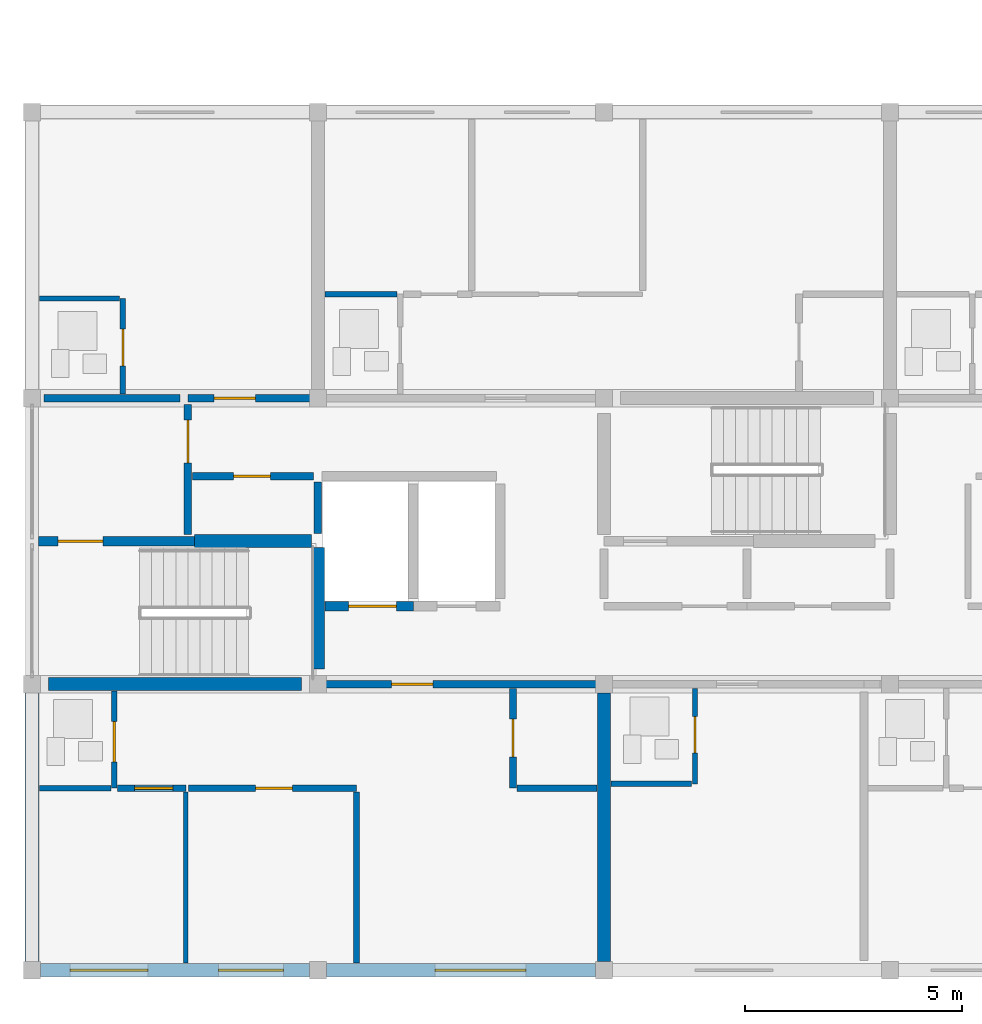
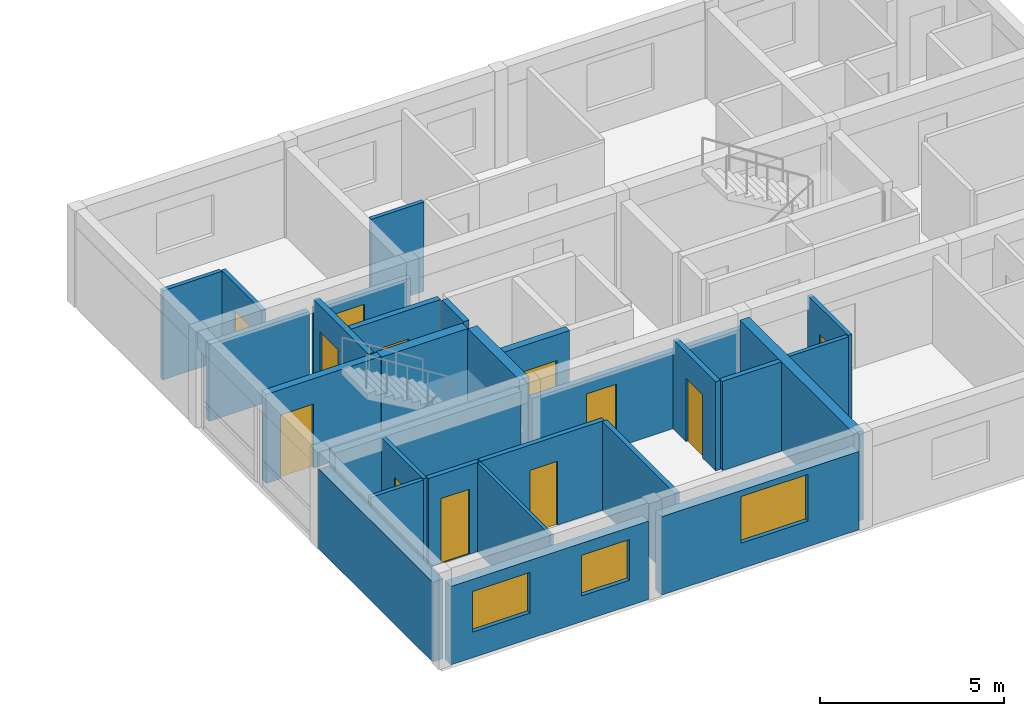
# One storey, part 24 of 45: 28 walls, 12 doors, 3 windows, 15 openings.
"""IFC4 building model written with IfcOpenShell, lengths in metres."""

from ifc_helpers import new_model, si_unit, direction, frame, frame_2d, origin, place, context, subcontext, project, spatial, rectangle, extrude, material, layer, layer_set, type_object, element, fill, save


model = new_model("IFC4")

# Units and contexts
model_context = context("Model", 3, precision=1e-05, world=origin(), true_north=direction((0.0, 1.0)))
body_context = subcontext(model_context, "Body", "Model", "MODEL_VIEW")
ifc_project = project(units=[si_unit("LENGTHUNIT", "METRE"), si_unit("AREAUNIT", "SQUARE_METRE"), si_unit("VOLUMEUNIT", "CUBIC_METRE"), si_unit("PLANEANGLEUNIT", "RADIAN"), si_unit("MASSUNIT", "GRAM", prefix="KILO")], contexts=[model_context])

# Site, building, storey
site_placement = place(None, origin())
site = spatial("IfcSite", under=ifc_project, at=site_placement, CompositionType="ELEMENT")
building_placement = place(site_placement, origin())
building = spatial("IfcBuilding", under=site, at=building_placement, Name="Kernevlak Ridge Housing Community", CompositionType="ELEMENT")
storey_placement = place(building_placement, frame((0.0, 0.0, 21.199951171875)))
storey = spatial("IfcBuildingStorey", under=building, at=storey_placement, Name="L06", CompositionType="ELEMENT", Elevation=21.199951171875)

# Wall, openings, windows
ifc_material_1 = material(Name="Concrete block masonry M10", Category="masonry")
ifc_layer_1 = layer(ifc_material_1, 0.320068359375, Name="Concrete block masonry M10")
ifc_layer_set_1 = layer_set([ifc_layer_1], Name="Concrete block masonry M10")
wall_type_1 = type_object("IfcWallType", Name="EW-02", PredefinedType="STANDARD", material=ifc_layer_set_1)
wall_1_placement = place(storey_placement, frame((15.800048828125, 15.60009765625, 0.0), z_axis=(0.0, 0.0, 1.0), x_axis=(1.0, 0.0, 0.0)))
wall_1 = element("IfcWall", 1, at=wall_1_placement, inside=storey, type_object=wall_type_1, Name="Exterior wall EW-02 L06 795", PredefinedType="STANDARD", context=body_context, shape_type="SweptSolid", body=[
    extrude(rectangle(XDim=6.199951171875, YDim=0.320068359375, at=frame_2d((3.10009765625, 0.0))), origin(), (0.0, 0.0, 1.0), 2.60009765625),
])
opening_1_placement = place(wall_1_placement, frame((0.675048828125, 0.0, 0.85009765625)))
opening_1 = element("IfcOpeningElement", 2, at=opening_1_placement, cuts=wall_1, Name="Opening WT-03", PredefinedType="OPENING", context=body_context, shape_type="SweptSolid", body=[
    extrude(rectangle(XDim=1.800048828125, YDim=1.35009765625, at=frame_2d((0.89990234375, 0.675048828125))), frame((0.0, 0.169921875, 0.0), z_axis=(0.0, -1.0, 0.0), x_axis=(1.0, 0.0, 0.0)), (0.0, 0.0, 1.0), 0.340087890625),
])
opening_2_placement = place(wall_1_placement, frame((4.10009765625, 0.0, 0.85009765625)))
opening_2 = element("IfcOpeningElement", 3, at=opening_2_placement, cuts=wall_1, Name="Opening WT-02", PredefinedType="OPENING", context=body_context, shape_type="SweptSolid", body=[
    extrude(rectangle(XDim=1.5, YDim=1.35009765625, at=frame_2d((0.75, 0.675048828125))), frame((0.0, 0.169921875, 0.0), z_axis=(0.0, -1.0, 0.0), x_axis=(1.0, 0.0, 0.0)), (0.0, 0.0, 1.0), 0.340087890625),
])
ifc_material_2 = material(Name="Aluminium EN AW-6060 anodised and laminated glass", Category="aluminium")
window_type_1 = type_object("IfcWindowType", Name="WT-02", PartitioningType="SINGLE_PANEL", PredefinedType="WINDOW", material=ifc_material_2)
window_1_placement = place(opening_2_placement, origin())
window_1 = element("IfcWindow", 4, at=window_1_placement, inside=storey, type_object=window_type_1, Name="Window WT-02 L06 662", OverallHeight=1.35009765625, OverallWidth=1.5, PartitioningType="SINGLE_PANEL", PredefinedType="WINDOW", context=body_context, shape_type="SweptSolid", body=[
    extrude(rectangle(XDim=1.5, YDim=1.35009765625, at=frame_2d((0.75, 0.675048828125))), frame((0.0, 0.030029296875, 0.0), z_axis=(0.0, -1.0, 0.0), x_axis=(1.0, 0.0, 0.0)), (0.0, 0.0, 1.0), 0.06005859375),
])
fill(opening_2, window_1)
window_type_2 = type_object("IfcWindowType", Name="WT-03", PartitioningType="SINGLE_PANEL", PredefinedType="WINDOW", material=ifc_material_2)
window_2_placement = place(opening_1_placement, origin())
window_2 = element("IfcWindow", 5, at=window_2_placement, inside=storey, type_object=window_type_2, Name="Window WT-03 L06 661", OverallHeight=1.35009765625, OverallWidth=1.800048828125, PartitioningType="SINGLE_PANEL", PredefinedType="WINDOW", context=body_context, shape_type="SweptSolid", body=[
    extrude(rectangle(XDim=1.800048828125, YDim=1.35009765625, at=frame_2d((0.89990234375, 0.675048828125))), frame((0.0, 0.030029296875, 0.0), z_axis=(0.0, -1.0, 0.0), x_axis=(1.0, 0.0, 0.0)), (0.0, 0.0, 1.0), 0.06005859375),
])
fill(opening_1, window_2)

# Wall, opening, window
wall_2_placement = place(storey_placement, frame((22.39990234375, 15.60009765625, 0.0), z_axis=(0.0, 0.0, 1.0), x_axis=(1.0, 0.0, 0.0)))
wall_2 = element("IfcWall", 6, at=wall_2_placement, inside=storey, type_object=wall_type_1, Name="Exterior wall EW-02 L06 796", PredefinedType="STANDARD", context=body_context, shape_type="SweptSolid", body=[
    extrude(rectangle(XDim=6.2001953125, YDim=0.320068359375, at=frame_2d((3.10009765625, 0.0))), origin(), (0.0, 0.0, 1.0), 2.60009765625),
])
opening_3_placement = place(wall_2_placement, frame((2.49609375, 0.0, 0.85009765625)))
opening_3 = element("IfcOpeningElement", 7, at=opening_3_placement, cuts=wall_2, Name="Opening WT-05", PredefinedType="OPENING", context=body_context, shape_type="SweptSolid", body=[
    extrude(rectangle(XDim=2.10009765625, YDim=1.550048828125, at=frame_2d((1.050048828125, 0.77490234375))), frame((0.0, 0.169921875, 0.0), z_axis=(0.0, -1.0, 0.0), x_axis=(1.0, 0.0, 0.0)), (0.0, 0.0, 1.0), 0.340087890625),
])
window_type_3 = type_object("IfcWindowType", Name="WT-05", PartitioningType="SINGLE_PANEL", PredefinedType="WINDOW", material=ifc_material_2)
window_3_placement = place(opening_3_placement, origin())
window_3 = element("IfcWindow", 8, at=window_3_placement, inside=storey, type_object=window_type_3, Name="Window WT-05 L06 663", OverallHeight=1.550048828125, OverallWidth=2.10009765625, PartitioningType="SINGLE_PANEL", PredefinedType="WINDOW", context=body_context, shape_type="SweptSolid", body=[
    extrude(rectangle(XDim=2.10009765625, YDim=1.550048828125, at=frame_2d((1.050048828125, 0.77490234375))), frame((0.0, 0.030029296875, 0.0), z_axis=(0.0, -1.0, 0.0), x_axis=(1.0, 0.0, 0.0)), (0.0, 0.0, 1.0), 0.06005859375),
])
fill(opening_3, window_3)

# Wall
wall_3_placement = place(storey_placement, frame((15.60009765625, 15.800048828125, 0.0), z_axis=(0.0, 0.0, 1.0), x_axis=(0.0, 1.0, 0.0)))
element("IfcWall", 9, at=wall_3_placement, inside=storey, type_object=wall_type_1, Name="Exterior wall EW-02 L06 805", PredefinedType="STANDARD", context=body_context, shape_type="SweptSolid", body=[
    extrude(rectangle(XDim=6.199951171875, YDim=0.320068359375, at=frame_2d((3.10009765625, 0.0))), origin(), (0.0, 0.0, 1.0), 2.650146484375),
])

# Wall, opening, door
ifc_material_3 = material(Name="Concrete C35/45", Category="concrete")
ifc_layer_2 = layer(ifc_material_3, 0.22509765625, Name="Concrete C35/45")
ifc_layer_set_2 = layer_set([ifc_layer_2], Name="Concrete C35/45")
wall_type_2 = type_object("IfcWallType", Name="PW-01", PredefinedType="STANDARD", material=ifc_layer_set_2)
wall_4_placement = place(storey_placement, frame((15.75, 25.5, 0.0), z_axis=(0.0, 0.0, 1.0), x_axis=(1.0, 0.0, 0.0)))
wall_4 = element("IfcWall", 10, at=wall_4_placement, inside=storey, type_object=wall_type_2, Name="Interior wall PW-01 WAL-INT-L06-3301", PredefinedType="STANDARD", context=body_context, shape_type="SweptSolid", body=[
    extrude(rectangle(XDim=3.60009765625, YDim=0.22509765625, at=frame_2d((1.800048828125, 0.0))), origin(), (0.0, 0.0, 1.0), 2.9599609375),
])
opening_4_placement = place(wall_4_placement, frame((0.449951171875, 0.0, 0.0)))
opening_4 = element("IfcOpeningElement", 11, at=opening_4_placement, cuts=wall_4, Name="Opening E675", PredefinedType="OPENING", context=body_context, shape_type="SweptSolid", body=[
    extrude(rectangle(XDim=1.0400390625, YDim=2.1201171875, at=frame_2d((0.52001953125, 1.06005859375))), frame((0.0, 0.12255859375, 0.0), z_axis=(0.0, -1.0, 0.0), x_axis=(1.0, 0.0, 0.0)), (0.0, 0.0, 1.0), 0.2451171875),
])
ifc_material_4 = material(Name="Fire-rated sheet steel leaf", Category="steel")
door_type_1 = type_object("IfcDoorType", Name="DT-16", OperationType="NOTDEFINED", PredefinedType="DOOR", material=ifc_material_4)
door_1_placement = place(opening_4_placement, origin())
door_1 = element("IfcDoor", 12, at=door_1_placement, inside=storey, type_object=door_type_1, Name="Block D Stair 1 fire door E675", OperationType="SINGLE_SWING_RIGHT", OverallHeight=2.1201171875, OverallWidth=1.0400390625, PredefinedType="DOOR", context=body_context, shape_type="SweptSolid", body=[
    extrude(rectangle(XDim=1.0400390625, YDim=2.1201171875, at=frame_2d((0.52001953125, 1.06005859375))), frame((0.0, 0.02490234375, 0.0), z_axis=(0.0, -1.0, 0.0), x_axis=(1.0, 0.0, 0.0)), (0.0, 0.0, 1.0), 0.050048828125),
])
fill(opening_4, door_1)

wall_5_placement = place(storey_placement, frame((22.360107421875, 24.0, 0.0), z_axis=(0.0, 0.0, 1.0), x_axis=(1.0, 0.0, 0.0)))
wall_5 = element("IfcWall", 13, at=wall_5_placement, inside=storey, type_object=wall_type_2, Name="Interior wall PW-01 WAL-INT-L06-3305", PredefinedType="STANDARD", context=body_context, shape_type="SweptSolid", body=[
    extrude(rectangle(XDim=2.039794921875, YDim=0.22509765625, at=frame_2d((1.02001953125, 0.0))), origin(), (0.0, 0.0, 1.0), 2.9599609375),
])
opening_5_placement = place(wall_5_placement, frame((0.550048828125, 0.0, 0.0)))
opening_5 = element("IfcOpeningElement", 14, at=opening_5_placement, cuts=wall_5, Name="Opening LD90", PredefinedType="OPENING", context=body_context, shape_type="SweptSolid", body=[
    extrude(rectangle(XDim=1.10009765625, YDim=2.10009765625, at=frame_2d((0.550048828125, 1.050048828125))), frame((0.0, 0.12255859375, 0.0), z_axis=(0.0, -1.0, 0.0), x_axis=(1.0, 0.0, 0.0)), (0.0, 0.0, 1.0), 0.2451171875),
])
ifc_material_5 = material(Name="Stainless steel EN 1.4401", Category="steel")
door_type_2 = type_object("IfcDoorType", Name="DT-LD1", OperationType="DOUBLE_DOOR_SLIDING", PredefinedType="DOOR", material=ifc_material_5)
door_2_placement = place(opening_5_placement, origin())
door_2 = element("IfcDoor", 15, at=door_2_placement, inside=storey, type_object=door_type_2, Name="Lift LF-D1 landing door LD90", OperationType="DOUBLE_DOOR_SLIDING", OverallHeight=2.10009765625, OverallWidth=1.10009765625, PredefinedType="DOOR", context=body_context, shape_type="SweptSolid", body=[
    extrude(rectangle(XDim=1.10009765625, YDim=2.10009765625, at=frame_2d((0.550048828125, 1.050048828125))), frame((0.0, 0.02490234375, 0.0), z_axis=(0.0, -1.0, 0.0), x_axis=(1.0, 0.0, 0.0)), (0.0, 0.0, 1.0), 0.050048828125),
])
fill(opening_5, door_2)

ifc_layer_3 = layer(ifc_material_1, 0.175048828125, Name="Concrete block masonry M10")
ifc_layer_set_3 = layer_set([ifc_layer_3], Name="Concrete block masonry M10")
wall_type_3 = type_object("IfcWallType", Name="PW-02", PredefinedType="PARTITIONING", material=ifc_layer_set_3)
wall_6_placement = place(storey_placement, frame((19.199951171875, 25.64990234375, 0.0), z_axis=(0.0, 0.0, 1.0), x_axis=(0.0, 1.0, 0.0)))
wall_6 = element("IfcWall", 16, at=wall_6_placement, inside=storey, type_object=wall_type_3, Name="Interior wall PW-02 WAL-INT-L06-3302", PredefinedType="PARTITIONING", context=body_context, shape_type="SweptSolid", body=[
    extrude(rectangle(XDim=3.0, YDim=0.175048828125, at=frame_2d((1.5, 0.0))), origin(), (0.0, 0.0, 1.0), 2.9599609375),
])
opening_6_placement = place(wall_6_placement, frame((1.64990234375, 0.0, 0.0)))
opening_6 = element("IfcOpeningElement", 17, at=opening_6_placement, cuts=wall_6, Name="Opening E676", PredefinedType="OPENING", context=body_context, shape_type="SweptSolid", body=[
    extrude(rectangle(XDim=1.0, YDim=2.10009765625, at=frame_2d((0.5, 1.050048828125))), frame((0.0, 0.097412109375, 0.0), z_axis=(0.0, -1.0, 0.0), x_axis=(1.0, 0.0, 0.0)), (0.0, 0.0, 1.0), 0.195068359375),
])
door_type_3 = type_object("IfcDoorType", Name="DT-05", OperationType="NOTDEFINED", PredefinedType="DOOR", material=ifc_material_4)
door_3_placement = place(opening_6_placement, origin())
door_3 = element("IfcDoor", 18, at=door_3_placement, inside=storey, type_object=door_type_3, Name="Block D Firefighting lobby 1 door E676", OperationType="SINGLE_SWING_LEFT", OverallHeight=2.10009765625, OverallWidth=1.0, PredefinedType="DOOR", context=body_context, shape_type="SweptSolid", body=[
    extrude(rectangle(XDim=1.0, YDim=2.10009765625, at=frame_2d((0.5, 1.050048828125))), frame((0.0, 0.02490234375, 0.0), z_axis=(0.0, -1.0, 0.0), x_axis=(1.0, 0.0, 0.0)), (0.0, 0.0, 1.0), 0.050048828125),
])
fill(opening_6, door_3)

wall_7_placement = place(storey_placement, frame((19.300048828125, 27.0, 0.0), z_axis=(0.0, 0.0, 1.0), x_axis=(1.0, 0.0, 0.0)))
wall_7 = element("IfcWall", 19, at=wall_7_placement, inside=storey, type_object=wall_type_3, Name="Interior wall PW-02 WAL-INT-L06-3303", PredefinedType="PARTITIONING", context=body_context, shape_type="SweptSolid", body=[
    extrude(rectangle(XDim=2.800048828125, YDim=0.175048828125, at=frame_2d((1.39990234375, 0.0))), origin(), (0.0, 0.0, 1.0), 2.9599609375),
])
opening_7_placement = place(wall_7_placement, frame((0.949951171875, 0.0, 0.0)))
opening_7 = element("IfcOpeningElement", 20, at=opening_7_placement, cuts=wall_7, Name="Opening E677", PredefinedType="OPENING", context=body_context, shape_type="SweptSolid", body=[
    extrude(rectangle(XDim=0.85009765625, YDim=2.0, at=frame_2d((0.425048828125, 1.0))), frame((0.0, 0.097412109375, 0.0), z_axis=(0.0, -1.0, 0.0), x_axis=(1.0, 0.0, 0.0)), (0.0, 0.0, 1.0), 0.195068359375),
])
door_type_4 = type_object("IfcDoorType", Name="DT-07", OperationType="NOTDEFINED", PredefinedType="DOOR", material=ifc_material_4)
door_4_placement = place(opening_7_placement, origin())
door_4 = element("IfcDoor", 21, at=door_4_placement, inside=storey, type_object=door_type_4, Name="Block D Riser shaft door E677", OperationType="SINGLE_SWING_RIGHT", OverallHeight=2.0, OverallWidth=0.85009765625, PredefinedType="DOOR", context=body_context, shape_type="SweptSolid", body=[
    extrude(rectangle(XDim=0.85009765625, YDim=2.0, at=frame_2d((0.425048828125, 1.0))), frame((0.0, 0.02490234375, 0.0), z_axis=(0.0, -1.0, 0.0), x_axis=(1.0, 0.0, 0.0)), (0.0, 0.0, 1.0), 0.050048828125),
])
fill(opening_7, door_4)

# Wall
wall_8_placement = place(storey_placement, frame((22.199951171875, 25.679931640625, 0.0), z_axis=(0.0, 0.0, 1.0), x_axis=(0.0, 1.0, 0.0)))
element("IfcWall", 22, at=wall_8_placement, inside=storey, type_object=wall_type_3, Name="Interior wall PW-02 WAL-INT-L06-3304", PredefinedType="PARTITIONING", context=body_context, shape_type="SweptSolid", body=[
    extrude(rectangle(XDim=1.190185546875, YDim=0.175048828125, at=frame_2d((0.59521484375, 0.0))), origin(), (0.0, 0.0, 1.0), 2.9599609375),
])

# Wall, opening, door
wall_9_placement = place(storey_placement, frame((22.199951171875, 22.199951171875, 0.0), z_axis=(0.0, 0.0, 1.0), x_axis=(1.0, 0.0, 0.0)))
wall_9 = element("IfcWall", 23, at=wall_9_placement, inside=storey, type_object=wall_type_3, Name="Interior wall PW-02 WAL-INT-L06-3320", PredefinedType="PARTITIONING", context=body_context, shape_type="SweptSolid", body=[
    extrude(rectangle(XDim=6.60009765625, YDim=0.175048828125, at=frame_2d((3.300048828125, 0.0))), origin(), (0.0, 0.0, 1.0), 2.550048828125),
])
opening_8_placement = place(wall_9_placement, frame((1.699951171875, 0.0, 0.0)))
opening_8 = element("IfcOpeningElement", 24, at=opening_8_placement, cuts=wall_9, Name="Opening E682", PredefinedType="OPENING", context=body_context, shape_type="SweptSolid", body=[
    extrude(rectangle(XDim=0.949951171875, YDim=2.10009765625, at=frame_2d((0.47509765625, 1.050048828125))), frame((0.0, 0.097412109375, 0.0), z_axis=(0.0, -1.0, 0.0), x_axis=(1.0, 0.0, 0.0)), (0.0, 0.0, 1.0), 0.195068359375),
])
ifc_material_6 = material(Name="Hardwood timber solid-core fire leaf", Category="wood")
door_type_5 = type_object("IfcDoorType", Name="DT-01", OperationType="NOTDEFINED", PredefinedType="DOOR", material=ifc_material_6)
door_5_placement = place(opening_8_placement, origin())
door_5 = element("IfcDoor", 25, at=door_5_placement, inside=storey, type_object=door_type_5, Name="Flat D0611 entrance fire door E682", OperationType="SINGLE_SWING_LEFT", OverallHeight=2.10009765625, OverallWidth=0.949951171875, PredefinedType="DOOR", context=body_context, shape_type="SweptSolid", body=[
    extrude(rectangle(XDim=0.949951171875, YDim=2.10009765625, at=frame_2d((0.47509765625, 1.050048828125))), frame((0.0, 0.02490234375, 0.0), z_axis=(0.0, -1.0, 0.0), x_axis=(1.0, 0.0, 0.0)), (0.0, 0.0, 1.0), 0.050048828125),
])
fill(opening_8, door_5)

# Wall
wall_10_placement = place(storey_placement, frame((15.8798828125, 28.800048828125, 0.0), z_axis=(0.0, 0.0, 1.0), x_axis=(1.0, 0.0, 0.0)))
element("IfcWall", 26, at=wall_10_placement, inside=storey, type_object=wall_type_3, Name="Interior wall PW-02 WAL-INT-L06-3340", PredefinedType="PARTITIONING", context=body_context, shape_type="SweptSolid", body=[
    extrude(rectangle(XDim=3.14013671875, YDim=0.175048828125, at=frame_2d((1.570068359375, 0.0))), origin(), (0.0, 0.0, 1.0), 2.550048828125),
])

# Wall, opening, door
wall_11_placement = place(storey_placement, frame((19.199951171875, 28.800048828125, 0.0), z_axis=(0.0, 0.0, 1.0), x_axis=(1.0, 0.0, 0.0)))
wall_11 = element("IfcWall", 27, at=wall_11_placement, inside=storey, type_object=wall_type_3, Name="Interior wall PW-02 WAL-INT-L06-3341", PredefinedType="PARTITIONING", context=body_context, shape_type="SweptSolid", body=[
    extrude(rectangle(XDim=3.0, YDim=0.175048828125, at=frame_2d((1.5, 0.0))), origin(), (0.0, 0.0, 1.0), 2.550048828125),
])
opening_9_placement = place(wall_11_placement, frame((0.60009765625, 0.0, 0.0)))
opening_9 = element("IfcOpeningElement", 28, at=opening_9_placement, cuts=wall_11, Name="Opening E693", PredefinedType="OPENING", context=body_context, shape_type="SweptSolid", body=[
    extrude(rectangle(XDim=0.9599609375, YDim=2.179931640625, at=frame_2d((0.47998046875, 1.08984375))), frame((0.0, 0.097412109375, 0.0), z_axis=(0.0, -1.0, 0.0), x_axis=(1.0, 0.0, 0.0)), (0.0, 0.0, 1.0), 0.195068359375),
])
door_type_6 = type_object("IfcDoorType", Name="DT-29", OperationType="NOTDEFINED", PredefinedType="DOOR", material=ifc_material_6)
door_6_placement = place(opening_9_placement, origin())
door_6 = element("IfcDoor", 29, at=door_6_placement, inside=storey, type_object=door_type_6, Name="Flat D0621 entrance fire door E693", OperationType="SINGLE_SWING_RIGHT", OverallHeight=2.179931640625, OverallWidth=0.9599609375, PredefinedType="DOOR", context=body_context, shape_type="SweptSolid", body=[
    extrude(rectangle(XDim=0.9599609375, YDim=2.179931640625, at=frame_2d((0.47998046875, 1.08984375))), frame((0.0, 0.02490234375, 0.0), z_axis=(0.0, -1.0, 0.0), x_axis=(1.0, 0.0, 0.0)), (0.0, 0.0, 1.0), 0.050048828125),
])
fill(opening_9, door_6)

ifc_layer_4 = layer(ifc_material_1, 0.14501953125, Name="Concrete block masonry M10")
ifc_layer_set_4 = layer_set([ifc_layer_4], Name="Concrete block masonry M10")
wall_type_4 = type_object("IfcWallType", Name="PW-03", PredefinedType="PARTITIONING", material=ifc_layer_set_4)
wall_12_placement = place(storey_placement, frame((17.572509765625, 19.800048828125, 0.0), z_axis=(0.0, 0.0, 1.0), x_axis=(1.0, 0.0, 0.0)))
wall_12 = element("IfcWall", 30, at=wall_12_placement, inside=storey, type_object=wall_type_4, Name="Interior wall PW-03 WAL-INT-L06-3325", PredefinedType="PARTITIONING", context=body_context, shape_type="SweptSolid", body=[
    extrude(rectangle(XDim=1.577392578125, YDim=0.14501953125, at=frame_2d((0.78857421875, 0.0))), origin(), (0.0, 0.0, 1.0), 2.9599609375),
])
opening_10_placement = place(wall_12_placement, frame((0.39990234375, 0.0, 0.0)))
opening_10 = element("IfcOpeningElement", 31, at=opening_10_placement, cuts=wall_12, Name="Opening E685", PredefinedType="OPENING", context=body_context, shape_type="SweptSolid", body=[
    extrude(rectangle(XDim=0.8798828125, YDim=2.159912109375, at=frame_2d((0.43994140625, 1.080078125))), frame((0.0, 0.08251953125, 0.0), z_axis=(0.0, -1.0, 0.0), x_axis=(1.0, 0.0, 0.0)), (0.0, 0.0, 1.0), 0.1650390625),
])
ifc_material_7 = material(Name="Hardwood timber leaf", Category="wood")
door_type_7 = type_object("IfcDoorType", Name="DT-26", OperationType="NOTDEFINED", PredefinedType="DOOR", material=ifc_material_7)
door_7_placement = place(opening_10_placement, origin())
door_7 = element("IfcDoor", 32, at=door_7_placement, inside=storey, type_object=door_type_7, Name="Flat D0611 bedroom door E685", OperationType="SINGLE_SWING_RIGHT", OverallHeight=2.159912109375, OverallWidth=0.8798828125, PredefinedType="DOOR", context=body_context, shape_type="SweptSolid", body=[
    extrude(rectangle(XDim=0.8798828125, YDim=2.159912109375, at=frame_2d((0.43994140625, 1.080078125))), frame((0.0, 0.02490234375, 0.0), z_axis=(0.0, -1.0, 0.0), x_axis=(1.0, 0.0, 0.0)), (0.0, 0.0, 1.0), 0.050048828125),
])
fill(opening_10, door_7)

wall_13_placement = place(storey_placement, frame((19.21240234375, 19.800048828125, 0.0), z_axis=(0.0, 0.0, 1.0), x_axis=(1.0, 0.0, 0.0)))
wall_13 = element("IfcWall", 33, at=wall_13_placement, inside=storey, type_object=wall_type_4, Name="Interior wall PW-03 WAL-INT-L06-3327", PredefinedType="PARTITIONING", context=body_context, shape_type="SweptSolid", body=[
    extrude(rectangle(XDim=3.879638671875, YDim=0.14501953125, at=frame_2d((1.93994140625, 0.0))), origin(), (0.0, 0.0, 1.0), 2.9599609375),
])
opening_11_placement = place(wall_13_placement, frame((1.5458984375, 0.0, 0.0)))
opening_11 = element("IfcOpeningElement", 34, at=opening_11_placement, cuts=wall_13, Name="Opening E686", PredefinedType="OPENING", context=body_context, shape_type="SweptSolid", body=[
    extrude(rectangle(XDim=0.860107421875, YDim=2.1201171875, at=frame_2d((0.43017578125, 1.06005859375))), frame((0.0, 0.08251953125, 0.0), z_axis=(0.0, -1.0, 0.0), x_axis=(1.0, 0.0, 0.0)), (0.0, 0.0, 1.0), 0.1650390625),
])
door_type_8 = type_object("IfcDoorType", Name="DT-28", OperationType="NOTDEFINED", PredefinedType="DOOR", material=ifc_material_7)
door_8_placement = place(opening_11_placement, origin())
door_8 = element("IfcDoor", 35, at=door_8_placement, inside=storey, type_object=door_type_8, Name="Flat D0611 bedroom door E686", OperationType="SINGLE_SWING_LEFT", OverallHeight=2.1201171875, OverallWidth=0.860107421875, PredefinedType="DOOR", context=body_context, shape_type="SweptSolid", body=[
    extrude(rectangle(XDim=0.860107421875, YDim=2.1201171875, at=frame_2d((0.43017578125, 1.06005859375))), frame((0.0, 0.02490234375, 0.0), z_axis=(0.0, -1.0, 0.0), x_axis=(1.0, 0.0, 0.0)), (0.0, 0.0, 1.0), 0.050048828125),
])
fill(opening_11, door_8)

# Wall
wall_14_placement = place(storey_placement, frame((23.092041015625, 19.717529296875, 0.0), z_axis=(0.0, 0.0, 1.0), x_axis=(0.0, -1.0, 0.0)))
element("IfcWall", 36, at=wall_14_placement, inside=storey, type_object=wall_type_4, Name="Interior wall PW-03 WAL-INT-L06-3328", PredefinedType="PARTITIONING", context=body_context, shape_type="SweptSolid", body=[
    extrude(rectangle(XDim=3.947509765625, YDim=0.14501953125, at=frame_2d((1.9736328125, 0.0))), origin(), (0.0, 0.0, 1.0), 2.9599609375),
])

# Wall, opening, door
ifc_material_8 = material(Name="Gypsum plasterboard EN 520", Category="gypsum")
ifc_layer_5 = layer(ifc_material_8, 0.125, Name="Gypsum plasterboard EN 520")
ifc_layer_set_5 = layer_set([ifc_layer_5], Name="Gypsum plasterboard EN 520")
wall_type_5 = type_object("IfcWallType", Name="PW-04", PredefinedType="PARTITIONING", material=ifc_layer_set_5)
wall_15_placement = place(storey_placement, frame((17.5, 22.0400390625, 0.0), z_axis=(0.0, 0.0, 1.0), x_axis=(0.0, -1.0, 0.0)))
wall_15 = element("IfcWall", 37, at=wall_15_placement, inside=storey, type_object=wall_type_5, Name="Interior wall PW-04 WAL-INT-L06-3321", PredefinedType="PARTITIONING", context=body_context, shape_type="SweptSolid", body=[
    extrude(rectangle(XDim=2.239990234375, YDim=0.125, at=frame_2d((1.1201171875, 0.0))), origin(), (0.0, 0.0, 1.0), 2.9599609375),
])
opening_12_placement = place(wall_15_placement, frame((0.699951171875, 0.0, 0.0)))
opening_12 = element("IfcOpeningElement", 38, at=opening_12_placement, cuts=wall_15, Name="Opening E683", PredefinedType="OPENING", context=body_context, shape_type="SweptSolid", body=[
    extrude(rectangle(XDim=0.93994140625, YDim=2.080078125, at=frame_2d((0.469970703125, 1.0400390625))), frame((0.0, 0.072509765625, 0.0), z_axis=(0.0, -1.0, 0.0), x_axis=(1.0, 0.0, 0.0)), (0.0, 0.0, 1.0), 0.14501953125),
])
ifc_material_9 = material(Name="Hardwood timber moisture-resistant leaf", Category="wood")
door_type_9 = type_object("IfcDoorType", Name="DT-23", OperationType="NOTDEFINED", PredefinedType="DOOR", material=ifc_material_9)
door_9_placement = place(opening_12_placement, origin())
door_9 = element("IfcDoor", 39, at=door_9_placement, inside=storey, type_object=door_type_9, Name="Flat D0611 bathroom door E683", OperationType="SINGLE_SWING_RIGHT", OverallHeight=2.080078125, OverallWidth=0.93994140625, PredefinedType="DOOR", context=body_context, shape_type="SweptSolid", body=[
    extrude(rectangle(XDim=0.93994140625, YDim=2.080078125, at=frame_2d((0.469970703125, 1.0400390625))), frame((0.0, 0.02490234375, 0.0), z_axis=(0.0, -1.0, 0.0), x_axis=(1.0, 0.0, 0.0)), (0.0, 0.0, 1.0), 0.050048828125),
])
fill(opening_12, door_9)

# Wall
wall_16_placement = place(storey_placement, frame((15.77001953125, 19.800048828125, 0.0), z_axis=(0.0, 0.0, 1.0), x_axis=(1.0, 0.0, 0.0)))
element("IfcWall", 40, at=wall_16_placement, inside=storey, type_object=wall_type_5, Name="Interior wall PW-04 WAL-INT-L06-3322", PredefinedType="PARTITIONING", context=body_context, shape_type="SweptSolid", body=[
    extrude(rectangle(XDim=1.64990234375, YDim=0.125, at=frame_2d((0.824951171875, 0.0))), origin(), (0.0, 0.0, 1.0), 2.9599609375),
])

# Wall, opening, door
wall_17_placement = place(storey_placement, frame((30.89990234375, 22.1025390625, 0.0), z_axis=(0.0, 0.0, 1.0), x_axis=(0.0, -1.0, 0.0)))
wall_17 = element("IfcWall", 41, at=wall_17_placement, inside=storey, type_object=wall_type_5, Name="Interior wall PW-04 WAL-INT-L06-3330", PredefinedType="PARTITIONING", context=body_context, shape_type="SweptSolid", body=[
    extrude(rectangle(XDim=2.20263671875, YDim=0.125, at=frame_2d((1.101318359375, 0.0))), origin(), (0.0, 0.0, 1.0), 2.9599609375),
])
opening_13_placement = place(wall_17_placement, frame((0.64990234375, 0.0, 0.0)))
opening_13 = element("IfcOpeningElement", 42, at=opening_13_placement, cuts=wall_17, Name="Opening E688", PredefinedType="OPENING", context=body_context, shape_type="SweptSolid", body=[
    extrude(rectangle(XDim=0.840087890625, YDim=2.06005859375, at=frame_2d((0.419921875, 1.030029296875))), frame((0.0, 0.072509765625, 0.0), z_axis=(0.0, -1.0, 0.0), x_axis=(1.0, 0.0, 0.0)), (0.0, 0.0, 1.0), 0.14501953125),
])
door_type_10 = type_object("IfcDoorType", Name="DT-27", OperationType="NOTDEFINED", PredefinedType="DOOR", material=ifc_material_9)
door_10_placement = place(opening_13_placement, origin())
door_10 = element("IfcDoor", 43, at=door_10_placement, inside=storey, type_object=door_type_10, Name="Flat D0612 bathroom door E688", OperationType="SINGLE_SWING_LEFT", OverallHeight=2.06005859375, OverallWidth=0.840087890625, PredefinedType="DOOR", context=body_context, shape_type="SweptSolid", body=[
    extrude(rectangle(XDim=0.840087890625, YDim=2.06005859375, at=frame_2d((0.419921875, 1.030029296875))), frame((0.0, 0.02490234375, 0.0), z_axis=(0.0, -1.0, 0.0), x_axis=(1.0, 0.0, 0.0)), (0.0, 0.0, 1.0), 0.050048828125),
])
fill(opening_13, door_10)

# Wall
wall_18_placement = place(storey_placement, frame((28.9599609375, 19.89990234375, 0.0), z_axis=(0.0, 0.0, 1.0), x_axis=(1.0, 0.0, 0.0)))
element("IfcWall", 44, at=wall_18_placement, inside=storey, type_object=wall_type_5, Name="Interior wall PW-04 WAL-INT-L06-3331", PredefinedType="PARTITIONING", context=body_context, shape_type="SweptSolid", body=[
    extrude(rectangle(XDim=1.860107421875, YDim=0.125, at=frame_2d((0.93017578125, 0.0))), origin(), (0.0, 0.0, 1.0), 2.9599609375),
])

# Wall, opening, door
wall_19_placement = place(storey_placement, frame((17.699951171875, 28.8974609375, 0.0), z_axis=(0.0, 0.0, 1.0), x_axis=(0.0, 1.0, 0.0)))
wall_19 = element("IfcWall", 45, at=wall_19_placement, inside=storey, type_object=wall_type_5, Name="Interior wall PW-04 WAL-INT-L06-3342", PredefinedType="PARTITIONING", context=body_context, shape_type="SweptSolid", body=[
    extrude(rectangle(XDim=2.20263671875, YDim=0.125, at=frame_2d((1.101318359375, 0.0))), origin(), (0.0, 0.0, 1.0), 2.9599609375),
])
opening_14_placement = place(wall_19_placement, frame((0.64990234375, 0.0, 0.0)))
opening_14 = element("IfcOpeningElement", 46, at=opening_14_placement, cuts=wall_19, Name="Opening E694", PredefinedType="OPENING", context=body_context, shape_type="SweptSolid", body=[
    extrude(rectangle(XDim=0.85009765625, YDim=2.0400390625, at=frame_2d((0.425048828125, 1.02001953125))), frame((0.0, 0.072509765625, 0.0), z_axis=(0.0, -1.0, 0.0), x_axis=(1.0, 0.0, 0.0)), (0.0, 0.0, 1.0), 0.14501953125),
])
door_type_11 = type_object("IfcDoorType", Name="DT-04", OperationType="NOTDEFINED", PredefinedType="DOOR", material=ifc_material_9)
door_11_placement = place(opening_14_placement, origin())
door_11 = element("IfcDoor", 47, at=door_11_placement, inside=storey, type_object=door_type_11, Name="Flat D0621 bathroom door E694", OperationType="SINGLE_SWING_LEFT", OverallHeight=2.0400390625, OverallWidth=0.85009765625, PredefinedType="DOOR", context=body_context, shape_type="SweptSolid", body=[
    extrude(rectangle(XDim=0.85009765625, YDim=2.0400390625, at=frame_2d((0.425048828125, 1.02001953125))), frame((0.0, 0.02490234375, 0.0), z_axis=(0.0, -1.0, 0.0), x_axis=(1.0, 0.0, 0.0)), (0.0, 0.0, 1.0), 0.050048828125),
])
fill(opening_14, door_11)

# Walls
wall_20_placement = place(storey_placement, frame((15.77001953125, 31.10009765625, 0.0), z_axis=(0.0, 0.0, 1.0), x_axis=(1.0, 0.0, 0.0)))
element("IfcWall", 48, at=wall_20_placement, inside=storey, type_object=wall_type_5, Name="Interior wall PW-04 WAL-INT-L06-3343", PredefinedType="PARTITIONING", context=body_context, shape_type="SweptSolid", body=[
    extrude(rectangle(XDim=1.85009765625, YDim=0.125, at=frame_2d((0.925048828125, 0.0))), origin(), (0.0, 0.0, 1.0), 2.9599609375),
])
wall_21_placement = place(storey_placement, frame((22.360107421875, 31.199951171875, 0.0), z_axis=(0.0, 0.0, 1.0), x_axis=(1.0, 0.0, 0.0)))
element("IfcWall", 49, at=wall_21_placement, inside=storey, type_object=wall_type_5, Name="Interior wall PW-04 WAL-INT-L06-3346", PredefinedType="PARTITIONING", context=body_context, shape_type="SweptSolid", body=[
    extrude(rectangle(XDim=1.659912109375, YDim=0.125, at=frame_2d((0.830078125, 0.0))), origin(), (0.0, 0.0, 1.0), 2.9599609375),
])

# Wall, opening, door
ifc_layer_6 = layer(ifc_material_8, 0.155029296875, Name="Gypsum plasterboard EN 520")
ifc_layer_set_6 = layer_set([ifc_layer_6], Name="Gypsum plasterboard EN 520")
wall_type_6 = type_object("IfcWallType", Name="PW-05", PredefinedType="PARTITIONING", material=ifc_layer_set_6)
wall_22_placement = place(storey_placement, frame((26.699951171875, 22.1025390625, 0.0), z_axis=(0.0, 0.0, 1.0), x_axis=(0.0, -1.0, 0.0)))
wall_22 = element("IfcWall", 50, at=wall_22_placement, inside=storey, type_object=wall_type_6, Name="Interior wall PW-05 WAL-INT-L06-3323", PredefinedType="PARTITIONING", context=body_context, shape_type="SweptSolid", body=[
    extrude(rectangle(XDim=2.302490234375, YDim=0.155029296875, at=frame_2d((1.1513671875, 0.0))), origin(), (0.0, 0.0, 1.0), 2.9599609375),
])
opening_15_placement = place(wall_22_placement, frame((0.699951171875, 0.0, 0.0)))
opening_15 = element("IfcOpeningElement", 51, at=opening_15_placement, cuts=wall_22, Name="Opening E684", PredefinedType="OPENING", context=body_context, shape_type="SweptSolid", body=[
    extrude(rectangle(XDim=0.8798828125, YDim=2.10009765625, at=frame_2d((0.43994140625, 1.050048828125))), frame((0.0, 0.08740234375, 0.0), z_axis=(0.0, -1.0, 0.0), x_axis=(1.0, 0.0, 0.0)), (0.0, 0.0, 1.0), 0.175048828125),
])
door_type_12 = type_object("IfcDoorType", Name="DT-25", OperationType="NOTDEFINED", PredefinedType="DOOR", material=ifc_material_7)
door_12_placement = place(opening_15_placement, origin())
door_12 = element("IfcDoor", 52, at=door_12_placement, inside=storey, type_object=door_type_12, Name="Flat D0611 kitchen door E684", OperationType="SINGLE_SWING_LEFT", OverallHeight=2.10009765625, OverallWidth=0.8798828125, PredefinedType="DOOR", context=body_context, shape_type="SweptSolid", body=[
    extrude(rectangle(XDim=0.8798828125, YDim=2.10009765625, at=frame_2d((0.43994140625, 1.050048828125))), frame((0.0, 0.02490234375, 0.0), z_axis=(0.0, -1.0, 0.0), x_axis=(1.0, 0.0, 0.0)), (0.0, 0.0, 1.0), 0.050048828125),
])
fill(opening_15, door_12)

# Walls
wall_23_placement = place(storey_placement, frame((26.78759765625, 19.800048828125, 0.0), z_axis=(0.0, 0.0, 1.0), x_axis=(1.0, 0.0, 0.0)))
element("IfcWall", 53, at=wall_23_placement, inside=storey, type_object=wall_type_6, Name="Interior wall PW-05 WAL-INT-L06-3324", PredefinedType="PARTITIONING", context=body_context, shape_type="SweptSolid", body=[
    extrude(rectangle(XDim=1.852294921875, YDim=0.155029296875, at=frame_2d((0.92626953125, 0.0))), origin(), (0.0, 0.0, 1.0), 2.9599609375),
])
ifc_layer_7 = layer(ifc_material_8, 0.10498046875, Name="Gypsum plasterboard EN 520")
ifc_layer_set_7 = layer_set([ifc_layer_7], Name="Gypsum plasterboard EN 520")
wall_type_7 = type_object("IfcWallType", Name="PW-06", PredefinedType="PARTITIONING", material=ifc_layer_set_7)
wall_24_placement = place(storey_placement, frame((19.14990234375, 19.717529296875, 0.0), z_axis=(0.0, 0.0, 1.0), x_axis=(0.0, -1.0, 0.0)))
element("IfcWall", 54, at=wall_24_placement, inside=storey, type_object=wall_type_7, Name="Interior wall PW-06 WAL-INT-L06-3326", PredefinedType="PARTITIONING", context=body_context, shape_type="SweptSolid", body=[
    extrude(rectangle(XDim=3.947509765625, YDim=0.10498046875, at=frame_2d((1.9736328125, 0.0))), origin(), (0.0, 0.0, 1.0), 2.9599609375),
])
ifc_material_10 = material(Name="Concrete C40/50", Category="concrete")
ifc_layer_8 = layer(ifc_material_10, 0.300048828125, Name="Concrete C40/50")
ifc_layer_set_8 = layer_set([ifc_layer_8], Name="Concrete C40/50")
wall_type_8 = type_object("IfcWallType", Name="SW-02", PredefinedType="SHEAR", material=ifc_layer_set_8)
wall_25_placement = place(storey_placement, frame((15.97998046875, 22.199951171875, 0.0), z_axis=(0.0, 0.0, 1.0), x_axis=(1.0, 0.0, 0.0)))
element("IfcWall", 55, at=wall_25_placement, inside=storey, type_object=wall_type_8, Name="Shear wall SW-02 Block D L06 567", PredefinedType="SHEAR", context=body_context, shape_type="SweptSolid", body=[
    extrude(rectangle(XDim=5.840087890625, YDim=0.300048828125, at=frame_2d((2.919921875, 0.0))), origin(), (0.0, 0.0, 1.0), 2.9599609375),
])
wall_26_placement = place(storey_placement, frame((19.35009765625, 25.5, 0.0), z_axis=(0.0, 0.0, 1.0), x_axis=(1.0, 0.0, 0.0)))
element("IfcWall", 56, at=wall_26_placement, inside=storey, type_object=wall_type_8, Name="Shear wall SW-02 Block D L06 568", PredefinedType="SHEAR", context=body_context, shape_type="SweptSolid", body=[
    extrude(rectangle(XDim=2.699951171875, YDim=0.300048828125, at=frame_2d((1.35009765625, 0.0))), origin(), (0.0, 0.0, 1.0), 2.9599609375),
])
wall_27_placement = place(storey_placement, frame((22.199951171875, 22.550048828125, 0.0), z_axis=(0.0, 0.0, 1.0), x_axis=(0.0, 1.0, 0.0)))
element("IfcWall", 57, at=wall_27_placement, inside=storey, type_object=wall_type_8, Name="Shear wall SW-02 Block D L06 569", PredefinedType="SHEAR", context=body_context, shape_type="SweptSolid", body=[
    extrude(rectangle(XDim=2.800048828125, YDim=0.300048828125, at=frame_2d((1.39990234375, 0.0))), origin(), (0.0, 0.0, 1.0), 2.9599609375),
])
wall_28_placement = place(storey_placement, frame((28.800048828125, 15.800048828125, 0.0), z_axis=(0.0, 0.0, 1.0), x_axis=(0.0, 1.0, 0.0)))
element("IfcWall", 58, at=wall_28_placement, inside=storey, type_object=wall_type_8, Name="Shear wall SW-02 Block D L06 574", PredefinedType="SHEAR", context=body_context, shape_type="SweptSolid", body=[
    extrude(rectangle(XDim=6.199951171875, YDim=0.300048828125, at=frame_2d((3.10009765625, 0.0))), origin(), (0.0, 0.0, 1.0), 2.9599609375),
])

save(model, "model.ifc")
